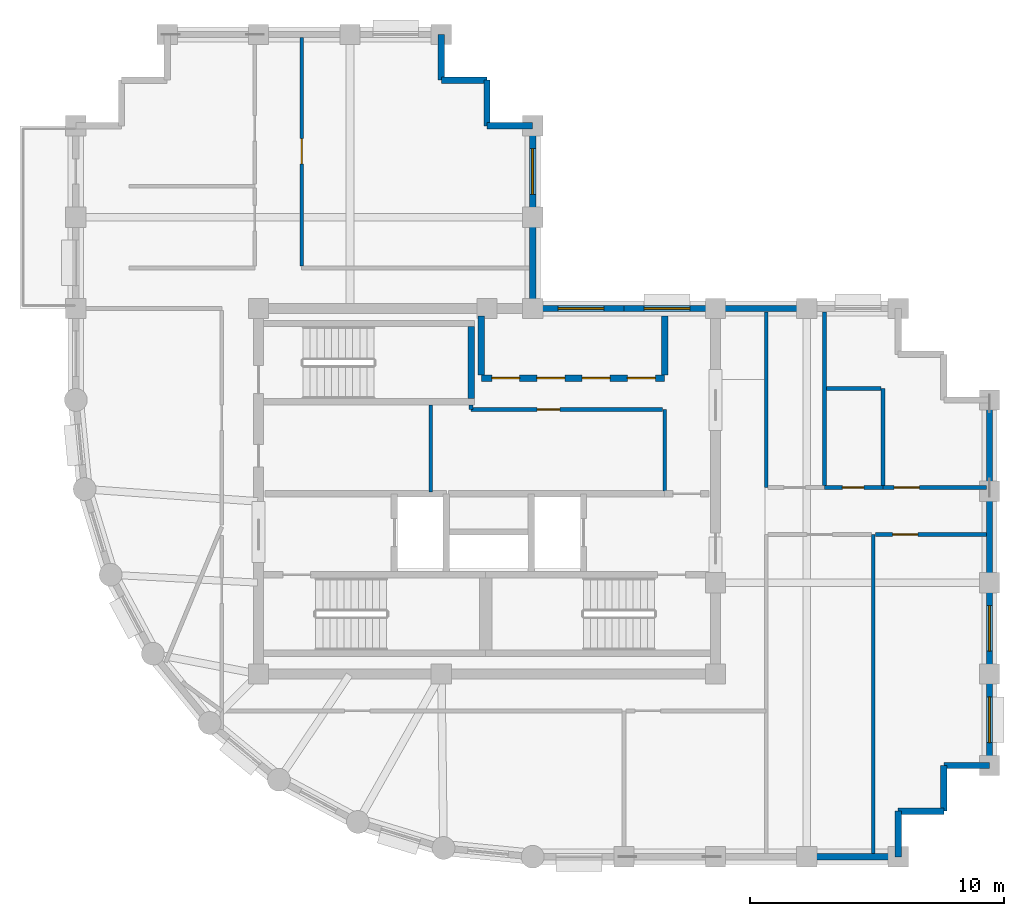
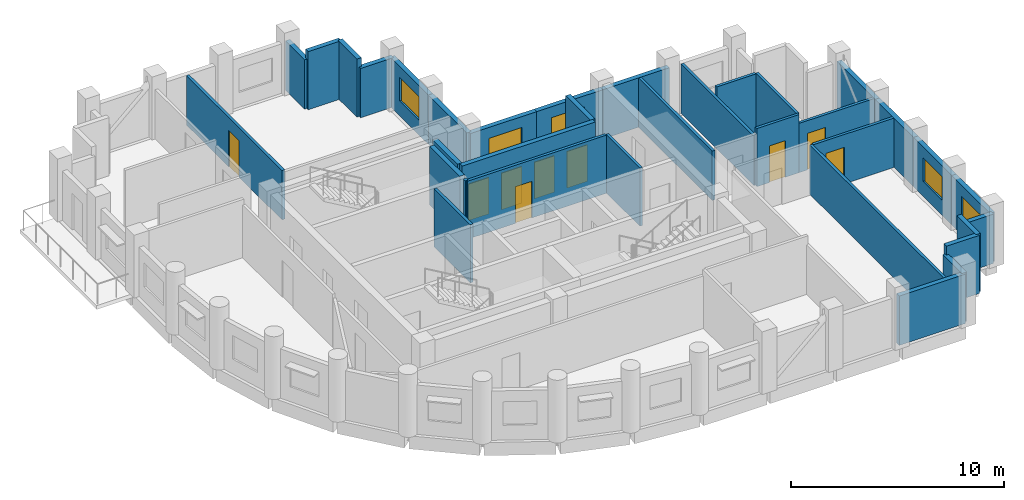
# One storey, part 4 of 7: 35 walls, 9 doors, 5 windows, 14 openings.
"""IFC4 building model written with IfcOpenShell, lengths in metres."""

from ifc_helpers import new_model, si_unit, direction, frame, frame_2d, origin, place, context, subcontext, project, spatial, rectangle, extrude, material, layer, layer_set, type_object, element, fill, save


model = new_model("IFC4")

# Units and contexts
model_context = context("Model", 3, precision=1e-05, world=origin(), true_north=direction((0.0, 1.0)))
body_context = subcontext(model_context, "Body", "Model", "MODEL_VIEW")
ifc_project = project(units=[si_unit("LENGTHUNIT", "METRE"), si_unit("AREAUNIT", "SQUARE_METRE"), si_unit("VOLUMEUNIT", "CUBIC_METRE"), si_unit("PLANEANGLEUNIT", "RADIAN"), si_unit("MASSUNIT", "GRAM", prefix="KILO")], contexts=[model_context])

# Site, building, storey
site_placement = place(None, origin())
site = spatial("IfcSite", under=ifc_project, at=site_placement, CompositionType="ELEMENT")
building_placement = place(site_placement, origin())
building = spatial("IfcBuilding", under=site, at=building_placement, Name="Solnavia Interchange Tower", CompositionType="ELEMENT")
storey_placement = place(building_placement, frame((0.0, 0.0, 266.60009765625)))
storey = spatial("IfcBuildingStorey", under=building, at=storey_placement, Name="L67", CompositionType="ELEMENT", Elevation=266.60009765625)

# Walls
ifc_material_1 = material(Name="Concrete C40/50", Category="concrete")
ifc_layer_1 = layer(ifc_material_1, 0.25)
ifc_layer_set_1 = layer_set([ifc_layer_1], Name="Concrete C40/50")
wall_type_1 = type_object("IfcWallType", Name="Wall-ExtSpandrel-250", PredefinedType="STANDARD", material=ifc_layer_set_1)
wall_1_placement = place(storey_placement, frame((39.60009765625, 3.60009765625, 0.0), z_axis=(0.0, 0.0, 1.0), x_axis=(-1.0, 0.0, 0.0)))
element("IfcWall", 1, at=wall_1_placement, inside=storey, type_object=wall_type_1, Name="EXW-L67-04 Exterior precast spandrel wall", PredefinedType="STANDARD", context=body_context, shape_type="SweptSolid", body=[
    extrude(rectangle(XDim=3.60009765625, YDim=0.25, at=frame_2d((1.800048828125, 0.0))), origin(), (0.0, 0.0, 1.0), 2.829833984375),
])
wall_2_placement = place(storey_placement, frame((39.60009765625, 5.39990234375, 0.0), z_axis=(0.0, 0.0, 1.0), x_axis=(0.0, -1.0, 0.0)))
element("IfcWall", 2, at=wall_2_placement, inside=storey, type_object=wall_type_1, Name="EXW-L67-05 Exterior precast spandrel wall", PredefinedType="STANDARD", context=body_context, shape_type="SweptSolid", body=[
    extrude(rectangle(XDim=1.7998046875, YDim=0.25, at=frame_2d((0.89990234375, 0.0))), origin(), (0.0, 0.0, 1.0), 2.829833984375),
])
wall_3_placement = place(storey_placement, frame((41.39990234375, 5.39990234375, 0.0), z_axis=(0.0, 0.0, 1.0), x_axis=(-1.0, 0.0, 0.0)))
element("IfcWall", 3, at=wall_3_placement, inside=storey, type_object=wall_type_1, Name="EXW-L67-06 Exterior precast spandrel wall", PredefinedType="STANDARD", context=body_context, shape_type="SweptSolid", body=[
    extrude(rectangle(XDim=1.7998046875, YDim=0.25, at=frame_2d((0.89990234375, 0.0))), origin(), (0.0, 0.0, 1.0), 3.3349609375),
])
wall_4_placement = place(storey_placement, frame((41.39990234375, 7.199951171875, 0.0), z_axis=(0.0, 0.0, 1.0), x_axis=(0.0, -1.0, 0.0)))
element("IfcWall", 4, at=wall_4_placement, inside=storey, type_object=wall_type_1, Name="EXW-L67-07 Exterior precast spandrel wall", PredefinedType="STANDARD", context=body_context, shape_type="SweptSolid", body=[
    extrude(rectangle(XDim=1.800048828125, YDim=0.25, at=frame_2d((0.89990234375, 0.0))), origin(), (0.0, 0.0, 1.0), 3.3349609375),
])
wall_5_placement = place(storey_placement, frame((43.199951171875, 7.199951171875, 0.0), z_axis=(0.0, 0.0, 1.0), x_axis=(-1.0, 0.0, 0.0)))
element("IfcWall", 5, at=wall_5_placement, inside=storey, type_object=wall_type_1, Name="EXW-L67-08 Exterior precast spandrel wall", PredefinedType="STANDARD", context=body_context, shape_type="SweptSolid", body=[
    extrude(rectangle(XDim=1.800048828125, YDim=0.25, at=frame_2d((0.89990234375, 0.0))), origin(), (0.0, 0.0, 1.0), 2.829833984375),
])

# Wall, opening, window
wall_6_placement = place(storey_placement, frame((43.199951171875, 10.800048828125, 0.0), z_axis=(0.0, 0.0, 1.0), x_axis=(0.0, -1.0, 0.0)))
wall_6 = element("IfcWall", 6, at=wall_6_placement, inside=storey, type_object=wall_type_1, Name="EXW-L67-09 Exterior precast spandrel wall", PredefinedType="STANDARD", context=body_context, shape_type="SweptSolid", body=[
    extrude(rectangle(XDim=3.60009765625, YDim=0.25, at=frame_2d((1.800048828125, 0.0))), origin(), (0.0, 0.0, 1.0), 2.829833984375),
])
opening_1_placement = place(wall_6_placement, frame((0.89990234375, 0.0, 0.85009765625)))
opening_1 = element("IfcOpeningElement", 7, at=opening_1_placement, cuts=wall_6, Name="Opening WIN-02", PredefinedType="OPENING", context=body_context, shape_type="SweptSolid", body=[
    extrude(rectangle(XDim=1.800048828125, YDim=1.35009765625, at=frame_2d((0.89990234375, 0.675048828125))), frame((0.0, 0.135009765625, 0.0), z_axis=(0.0, -1.0, 0.0), x_axis=(1.0, 0.0, 0.0)), (0.0, 0.0, 1.0), 0.27001953125),
])
ifc_material_2 = material(Name="Thermal-Break Aluminium & Low-E Glass", Category="aluminium")
window_type = type_object("IfcWindowType", Name="Window-Ribbon-1800x1350", PartitioningType="SINGLE_PANEL", PredefinedType="WINDOW", material=ifc_material_2)
window_1_placement = place(opening_1_placement, origin())
window_1 = element("IfcWindow", 8, at=window_1_placement, inside=storey, type_object=window_type, Name="WIN-L67-09 Facade ribbon window", OverallHeight=1.35009765625, OverallWidth=1.800048828125, PartitioningType="SINGLE_PANEL", PredefinedType="WINDOW", context=body_context, shape_type="SweptSolid", body=[
    extrude(rectangle(XDim=1.800048828125, YDim=1.35009765625, at=frame_2d((0.89990234375, 0.675048828125))), frame((0.0, 0.030029296875, 0.0), z_axis=(0.0, -1.0, 0.0), x_axis=(1.0, 0.0, 0.0)), (0.0, 0.0, 1.0), 0.06005859375),
])
fill(opening_1, window_1)

wall_7_placement = place(storey_placement, frame((43.199951171875, 14.39990234375, 0.0), z_axis=(0.0, 0.0, 1.0), x_axis=(0.0, -1.0, 0.0)))
wall_7 = element("IfcWall", 9, at=wall_7_placement, inside=storey, type_object=wall_type_1, Name="EXW-L67-10 Exterior precast spandrel wall", PredefinedType="STANDARD", context=body_context, shape_type="SweptSolid", body=[
    extrude(rectangle(XDim=3.599853515625, YDim=0.25, at=frame_2d((1.7998046875, 0.0))), origin(), (0.0, 0.0, 1.0), 2.829833984375),
])
opening_2_placement = place(wall_7_placement, frame((0.89990234375, 0.0, 0.85009765625)))
opening_2 = element("IfcOpeningElement", 10, at=opening_2_placement, cuts=wall_7, Name="Opening WIN-02", PredefinedType="OPENING", context=body_context, shape_type="SweptSolid", body=[
    extrude(rectangle(XDim=1.800048828125, YDim=1.35009765625, at=frame_2d((0.89990234375, 0.675048828125))), frame((0.0, 0.135009765625, 0.0), z_axis=(0.0, -1.0, 0.0), x_axis=(1.0, 0.0, 0.0)), (0.0, 0.0, 1.0), 0.27001953125),
])
window_2_placement = place(opening_2_placement, origin())
window_2 = element("IfcWindow", 11, at=window_2_placement, inside=storey, type_object=window_type, Name="WIN-L67-10 Facade ribbon window", OverallHeight=1.35009765625, OverallWidth=1.800048828125, PartitioningType="SINGLE_PANEL", PredefinedType="WINDOW", context=body_context, shape_type="SweptSolid", body=[
    extrude(rectangle(XDim=1.800048828125, YDim=1.35009765625, at=frame_2d((0.89990234375, 0.675048828125))), frame((0.0, 0.030029296875, 0.0), z_axis=(0.0, -1.0, 0.0), x_axis=(1.0, 0.0, 0.0)), (0.0, 0.0, 1.0), 0.06005859375),
])
fill(opening_2, window_2)

# Walls
for number, where, z_axis, x_axis, name in (
    (12, (43.199951171875, 18.0, 0.0), (0.0, 0.0, 1.0), (0.0, -1.0, 0.0), "EXW-L67-11 Exterior precast spandrel wall"),
    (13, (43.199951171875, 21.60009765625, 0.0), (0.0, 0.0, 1.0), (0.0, -1.0, 0.0), "EXW-L67-12 Exterior precast spandrel wall"),
    (14, (32.39990234375, 25.199951171875, 0.0), (0.0, 0.0, 1.0), (1.0, 0.0, 0.0), "EXW-L67-18 Exterior precast spandrel wall"),
):
    element("IfcWall", number, at=place(storey_placement, frame(where, z_axis=z_axis, x_axis=x_axis)), inside=storey, type_object=wall_type_1, Name=name, PredefinedType="STANDARD", context=body_context, shape_type="SweptSolid", body=[
        extrude(rectangle(XDim=3.60009765625, YDim=0.25, at=frame_2d((1.800048828125, 0.0))), origin(), (0.0, 0.0, 1.0), 2.829833984375),
    ])

# Wall, opening, window
wall_8_placement = place(storey_placement, frame((28.800048828125, 25.199951171875, 0.0), z_axis=(0.0, 0.0, 1.0), x_axis=(1.0, 0.0, 0.0)))
wall_8 = element("IfcWall", 15, at=wall_8_placement, inside=storey, type_object=wall_type_1, Name="EXW-L67-19 Exterior precast spandrel wall", PredefinedType="STANDARD", context=body_context, shape_type="SweptSolid", body=[
    extrude(rectangle(XDim=3.599853515625, YDim=0.25, at=frame_2d((1.7998046875, 0.0))), origin(), (0.0, 0.0, 1.0), 2.829833984375),
])
opening_3_placement = place(wall_8_placement, frame((0.794921875, 0.0, 0.85009765625)))
opening_3 = element("IfcOpeningElement", 16, at=opening_3_placement, cuts=wall_8, Name="Opening WIN-02", PredefinedType="OPENING", context=body_context, shape_type="SweptSolid", body=[
    extrude(rectangle(XDim=1.800048828125, YDim=1.35009765625, at=frame_2d((0.89990234375, 0.675048828125))), frame((0.0, 0.135009765625, 0.0), z_axis=(0.0, -1.0, 0.0), x_axis=(1.0, 0.0, 0.0)), (0.0, 0.0, 1.0), 0.27001953125),
])
window_3_placement = place(opening_3_placement, origin())
window_3 = element("IfcWindow", 17, at=window_3_placement, inside=storey, type_object=window_type, Name="WIN-L67-19 Facade ribbon window", OverallHeight=1.35009765625, OverallWidth=1.800048828125, PartitioningType="SINGLE_PANEL", PredefinedType="WINDOW", context=body_context, shape_type="SweptSolid", body=[
    extrude(rectangle(XDim=1.800048828125, YDim=1.35009765625, at=frame_2d((0.89990234375, 0.675048828125))), frame((0.0, 0.030029296875, 0.0), z_axis=(0.0, -1.0, 0.0), x_axis=(1.0, 0.0, 0.0)), (0.0, 0.0, 1.0), 0.06005859375),
])
fill(opening_3, window_3)

wall_9_placement = place(storey_placement, frame((25.199951171875, 25.199951171875, 0.0), z_axis=(0.0, 0.0, 1.0), x_axis=(1.0, 0.0, 0.0)))
wall_9 = element("IfcWall", 18, at=wall_9_placement, inside=storey, type_object=wall_type_1, Name="EXW-L67-20 Exterior precast spandrel wall", PredefinedType="STANDARD", context=body_context, shape_type="SweptSolid", body=[
    extrude(rectangle(XDim=3.60009765625, YDim=0.25, at=frame_2d((1.800048828125, 0.0))), origin(), (0.0, 0.0, 1.0), 2.829833984375),
])
opening_4_placement = place(wall_9_placement, frame((1.0048828125, 0.0, 0.85009765625)))
opening_4 = element("IfcOpeningElement", 19, at=opening_4_placement, cuts=wall_9, Name="Opening WIN-02", PredefinedType="OPENING", context=body_context, shape_type="SweptSolid", body=[
    extrude(rectangle(XDim=1.800048828125, YDim=1.35009765625, at=frame_2d((0.89990234375, 0.675048828125))), frame((0.0, 0.135009765625, 0.0), z_axis=(0.0, -1.0, 0.0), x_axis=(1.0, 0.0, 0.0)), (0.0, 0.0, 1.0), 0.27001953125),
])
window_4_placement = place(opening_4_placement, origin())
window_4 = element("IfcWindow", 20, at=window_4_placement, inside=storey, type_object=window_type, Name="WIN-L67-20 Facade ribbon window", OverallHeight=1.35009765625, OverallWidth=1.800048828125, PartitioningType="SINGLE_PANEL", PredefinedType="WINDOW", context=body_context, shape_type="SweptSolid", body=[
    extrude(rectangle(XDim=1.800048828125, YDim=1.35009765625, at=frame_2d((0.89990234375, 0.675048828125))), frame((0.0, 0.030029296875, 0.0), z_axis=(0.0, -1.0, 0.0), x_axis=(1.0, 0.0, 0.0)), (0.0, 0.0, 1.0), 0.06005859375),
])
fill(opening_4, window_4)

# Wall
wall_10_placement = place(storey_placement, frame((25.199951171875, 28.800048828125, 0.0), z_axis=(0.0, 0.0, 1.0), x_axis=(0.0, -1.0, 0.0)))
element("IfcWall", 21, at=wall_10_placement, inside=storey, type_object=wall_type_1, Name="EXW-L67-21 Exterior precast spandrel wall", PredefinedType="STANDARD", context=body_context, shape_type="SweptSolid", body=[
    extrude(rectangle(XDim=3.60009765625, YDim=0.25, at=frame_2d((1.800048828125, 0.0))), origin(), (0.0, 0.0, 1.0), 2.829833984375),
])

# Wall, opening, window
wall_11_placement = place(storey_placement, frame((25.199951171875, 32.39990234375, 0.0), z_axis=(0.0, 0.0, 1.0), x_axis=(0.0, -1.0, 0.0)))
wall_11 = element("IfcWall", 22, at=wall_11_placement, inside=storey, type_object=wall_type_1, Name="EXW-L67-22 Exterior precast spandrel wall", PredefinedType="STANDARD", context=body_context, shape_type="SweptSolid", body=[
    extrude(rectangle(XDim=3.599853515625, YDim=0.25, at=frame_2d((1.7998046875, 0.0))), origin(), (0.0, 0.0, 1.0), 2.829833984375),
])
opening_5_placement = place(wall_11_placement, frame((0.89990234375, 0.0, 0.85009765625)))
opening_5 = element("IfcOpeningElement", 23, at=opening_5_placement, cuts=wall_11, Name="Opening WIN-02", PredefinedType="OPENING", context=body_context, shape_type="SweptSolid", body=[
    extrude(rectangle(XDim=1.800048828125, YDim=1.35009765625, at=frame_2d((0.89990234375, 0.675048828125))), frame((0.0, 0.135009765625, 0.0), z_axis=(0.0, -1.0, 0.0), x_axis=(1.0, 0.0, 0.0)), (0.0, 0.0, 1.0), 0.27001953125),
])
window_5_placement = place(opening_5_placement, origin())
window_5 = element("IfcWindow", 24, at=window_5_placement, inside=storey, type_object=window_type, Name="WIN-L67-22 Facade ribbon window", OverallHeight=1.35009765625, OverallWidth=1.800048828125, PartitioningType="SINGLE_PANEL", PredefinedType="WINDOW", context=body_context, shape_type="SweptSolid", body=[
    extrude(rectangle(XDim=1.800048828125, YDim=1.35009765625, at=frame_2d((0.89990234375, 0.675048828125))), frame((0.0, 0.030029296875, 0.0), z_axis=(0.0, -1.0, 0.0), x_axis=(1.0, 0.0, 0.0)), (0.0, 0.0, 1.0), 0.06005859375),
])
fill(opening_5, window_5)

# Walls
wall_12_placement = place(storey_placement, frame((23.39990234375, 32.39990234375, 0.0), z_axis=(0.0, 0.0, 1.0), x_axis=(1.0, 0.0, 0.0)))
element("IfcWall", 25, at=wall_12_placement, inside=storey, type_object=wall_type_1, Name="EXW-L67-23 Exterior precast spandrel wall", PredefinedType="STANDARD", context=body_context, shape_type="SweptSolid", body=[
    extrude(rectangle(XDim=1.800048828125, YDim=0.25, at=frame_2d((0.89990234375, 0.0))), origin(), (0.0, 0.0, 1.0), 2.829833984375),
])
wall_13_placement = place(storey_placement, frame((23.39990234375, 32.39990234375, 0.0), z_axis=(0.0, 0.0, 1.0), x_axis=(0.0, 1.0, 0.0)))
element("IfcWall", 26, at=wall_13_placement, inside=storey, type_object=wall_type_1, Name="EXW-L67-24 Exterior precast spandrel wall", PredefinedType="STANDARD", context=body_context, shape_type="SweptSolid", body=[
    extrude(rectangle(XDim=1.800048828125, YDim=0.25, at=frame_2d((0.89990234375, 0.0))), origin(), (0.0, 0.0, 1.0), 3.3349609375),
])
wall_14_placement = place(storey_placement, frame((21.60009765625, 34.199951171875, 0.0), z_axis=(0.0, 0.0, 1.0), x_axis=(1.0, 0.0, 0.0)))
element("IfcWall", 27, at=wall_14_placement, inside=storey, type_object=wall_type_1, Name="EXW-L67-25 Exterior precast spandrel wall", PredefinedType="STANDARD", context=body_context, shape_type="SweptSolid", body=[
    extrude(rectangle(XDim=1.7998046875, YDim=0.25, at=frame_2d((0.89990234375, 0.0))), origin(), (0.0, 0.0, 1.0), 3.3349609375),
])
wall_15_placement = place(storey_placement, frame((21.60009765625, 34.199951171875, 0.0), z_axis=(0.0, 0.0, 1.0), x_axis=(0.0, 1.0, 0.0)))
element("IfcWall", 28, at=wall_15_placement, inside=storey, type_object=wall_type_1, Name="EXW-L67-26 Exterior precast spandrel wall", PredefinedType="STANDARD", context=body_context, shape_type="SweptSolid", body=[
    extrude(rectangle(XDim=1.800048828125, YDim=0.25, at=frame_2d((0.89990234375, 0.0))), origin(), (0.0, 0.0, 1.0), 2.829833984375),
])

# Wall, opening, door
ifc_material_3 = material(Name="Gypsum Plasterboard & Steel Stud", Category="steel")
ifc_layer_2 = layer(ifc_material_3, 0.14990234375)
ifc_layer_set_2 = layer_set([ifc_layer_2], Name="Gypsum Plasterboard & Steel Stud")
wall_type_2 = type_object("IfcWallType", Name="Wall-Partition-150", PredefinedType="PARTITIONING", material=ifc_layer_set_2)
wall_16_placement = place(storey_placement, frame((22.77490234375, 21.219970703125, 0.0), z_axis=(0.0, 0.0, 1.0), x_axis=(1.0, 0.0, 0.0)))
wall_16 = element("IfcWall", 29, at=wall_16_placement, inside=storey, type_object=wall_type_2, Name="CSW-L67-N-ALL Core shaft wall", PredefinedType="PARTITIONING", context=body_context, shape_type="SweptSolid", body=[
    extrude(rectangle(XDim=7.545166015625, YDim=0.14990234375, at=frame_2d((3.7724609375, 0.0))), origin(), (0.0, 0.0, 1.0), 3.3349609375),
])
opening_6_placement = place(wall_16_placement, frame((2.60009765625, 0.0, 0.0)))
opening_6 = element("IfcOpeningElement", 30, at=opening_6_placement, cuts=wall_16, Name="Opening DR-09", PredefinedType="OPENING", context=body_context, shape_type="SweptSolid", body=[
    extrude(rectangle(XDim=0.89990234375, YDim=2.10009765625, at=frame_2d((0.449951171875, 1.050048828125))), frame((0.0, 0.0849609375, 0.0), z_axis=(0.0, -1.0, 0.0), x_axis=(1.0, 0.0, 0.0)), (0.0, 0.0, 1.0), 0.169921875),
])
ifc_material_4 = material(Name="Engineered Oak Veneer Door", Category="wood")
door_type_1 = type_object("IfcDoorType", Name="Door-Internal-900x2100", OperationType="SINGLE_SWING_LEFT", PredefinedType="DOOR", material=ifc_material_4)
door_1_placement = place(opening_6_placement, origin())
door_1 = element("IfcDoor", 31, at=door_1_placement, inside=storey, type_object=door_type_1, Name="DR-L67-CS2 Core fire door", OperationType="SINGLE_SWING_RIGHT", OverallHeight=2.10009765625, OverallWidth=0.89990234375, PredefinedType="DOOR", context=body_context, shape_type="SweptSolid", body=[
    extrude(rectangle(XDim=0.89990234375, YDim=2.10009765625, at=frame_2d((0.449951171875, 1.050048828125))), frame((0.0, 0.02490234375, 0.0), z_axis=(0.0, -1.0, 0.0), x_axis=(1.0, 0.0, 0.0)), (0.0, 0.0, 1.0), 0.050048828125),
])
fill(opening_6, door_1)

# Walls
wall_17_placement = place(storey_placement, frame((22.77490234375, 21.219970703125, 0.0), z_axis=(0.0, 0.0, 1.0), x_axis=(0.0, 1.0, 0.0)))
element("IfcWall", 32, at=wall_17_placement, inside=storey, type_object=wall_type_2, Name="CSW-L67-ST-TIE Core shaft wall", PredefinedType="PARTITIONING", context=body_context, shape_type="SweptSolid", body=[
    extrude(rectangle(XDim=0.175048828125, YDim=0.14990234375, at=frame_2d((0.08740234375, 0.0))), origin(), (0.0, 0.0, 1.0), 3.3349609375),
])
wall_18_placement = place(storey_placement, frame((30.39990234375, 18.02001953125, 0.0), z_axis=(0.0, 0.0, 1.0), x_axis=(0.0, 1.0, 0.0)))
element("IfcWall", 33, at=wall_18_placement, inside=storey, type_object=wall_type_2, Name="CSW-L67-E-E Core shaft wall", PredefinedType="PARTITIONING", context=body_context, shape_type="SweptSolid", body=[
    extrude(rectangle(XDim=3.199951171875, YDim=0.14990234375, at=frame_2d((1.60009765625, 0.0))), origin(), (0.0, 0.0, 1.0), 3.3349609375),
])
wall_19_placement = place(storey_placement, frame((21.179931640625, 17.97998046875, 0.0), z_axis=(0.0, 0.0, 1.0), x_axis=(0.0, 1.0, 0.0)))
element("IfcWall", 34, at=wall_19_placement, inside=storey, type_object=wall_type_2, Name="CSW-L67-M0 Core shaft wall", PredefinedType="PARTITIONING", context=body_context, shape_type="SweptSolid", body=[
    extrude(rectangle(XDim=3.419921875, YDim=0.14990234375, at=frame_2d((1.7099609375, 0.0))), origin(), (0.0, 0.0, 1.0), 3.3349609375),
])
wall_20_placement = place(storey_placement, frame((38.6201171875, 3.72900390625, 0.0), z_axis=(0.0, 0.0, 1.0), x_axis=(0.0, 1.0, 0.0)))
element("IfcWall", 35, at=wall_20_placement, inside=storey, type_object=wall_type_2, Name="PTW-L67-16 Interior partition wall", PredefinedType="PARTITIONING", context=body_context, shape_type="SweptSolid", body=[
    extrude(rectangle(XDim=12.571044921875, YDim=0.14990234375, at=frame_2d((6.28564453125, 0.0))), origin(), (0.0, 0.0, 1.0), 2.829833984375),
])

# Wall, opening, door
wall_21_placement = place(storey_placement, frame((38.698974609375, 16.300048828125, 0.0), z_axis=(0.0, 0.0, 1.0), x_axis=(1.0, 0.0, 0.0)))
wall_21 = element("IfcWall", 36, at=wall_21_placement, inside=storey, type_object=wall_type_2, Name="PTW-L67-18 Interior partition wall", PredefinedType="PARTITIONING", context=body_context, shape_type="SweptSolid", body=[
    extrude(rectangle(XDim=4.3720703125, YDim=0.14990234375, at=frame_2d((2.18603515625, 0.0))), origin(), (0.0, 0.0, 1.0), 2.829833984375),
])
opening_7_placement = place(wall_21_placement, frame((0.677978515625, 0.0, 0.0)))
opening_7 = element("IfcOpeningElement", 37, at=opening_7_placement, cuts=wall_21, Name="Opening DR-07", PredefinedType="OPENING", context=body_context, shape_type="SweptSolid", body=[
    extrude(rectangle(XDim=1.0, YDim=2.10009765625, at=frame_2d((0.5, 1.050048828125))), frame((0.0, 0.0849609375, 0.0), z_axis=(0.0, -1.0, 0.0), x_axis=(1.0, 0.0, 0.0)), (0.0, 0.0, 1.0), 0.169921875),
])
ifc_material_5 = material(Name="Timber & Acoustic Glazed Office Door", Category="wood")
door_type_2 = type_object("IfcDoorType", Name="Door-Office-1000x2100", OperationType="SINGLE_SWING_RIGHT", PredefinedType="DOOR", material=ifc_material_5)
door_2_placement = place(opening_7_placement, origin())
door_2 = element("IfcDoor", 38, at=door_2_placement, inside=storey, type_object=door_type_2, Name="DR-L67-08 Interior room door", OperationType="SINGLE_SWING_RIGHT", OverallHeight=2.10009765625, OverallWidth=1.0, PredefinedType="DOOR", context=body_context, shape_type="SweptSolid", body=[
    extrude(rectangle(XDim=1.0, YDim=2.10009765625, at=frame_2d((0.5, 1.050048828125))), frame((0.0, 0.02490234375, 0.0), z_axis=(0.0, -1.0, 0.0), x_axis=(1.0, 0.0, 0.0)), (0.0, 0.0, 1.0), 0.050048828125),
])
fill(opening_7, door_2)

wall_22_placement = place(storey_placement, frame((39.0, 18.14990234375, 0.0), z_axis=(0.0, 0.0, 1.0), x_axis=(1.0, 0.0, 0.0)))
wall_22 = element("IfcWall", 39, at=wall_22_placement, inside=storey, type_object=wall_type_2, Name="PTW-L67-19 Interior partition wall", PredefinedType="PARTITIONING", context=body_context, shape_type="SweptSolid", body=[
    extrude(rectangle(XDim=4.071044921875, YDim=0.14990234375, at=frame_2d((2.03564453125, 0.0))), origin(), (0.0, 0.0, 1.0), 2.829833984375),
])
opening_8_placement = place(wall_22_placement, frame((0.43798828125, 0.0, 0.0)))
opening_8 = element("IfcOpeningElement", 40, at=opening_8_placement, cuts=wall_22, Name="Opening DR-07", PredefinedType="OPENING", context=body_context, shape_type="SweptSolid", body=[
    extrude(rectangle(XDim=1.0, YDim=2.10009765625, at=frame_2d((0.5, 1.050048828125))), frame((0.0, 0.0849609375, 0.0), z_axis=(0.0, -1.0, 0.0), x_axis=(1.0, 0.0, 0.0)), (0.0, 0.0, 1.0), 0.169921875),
])
door_3_placement = place(opening_8_placement, origin())
door_3 = element("IfcDoor", 41, at=door_3_placement, inside=storey, type_object=door_type_2, Name="DR-L67-09 Interior room door", OperationType="SINGLE_SWING_RIGHT", OverallHeight=2.10009765625, OverallWidth=1.0, PredefinedType="DOOR", context=body_context, shape_type="SweptSolid", body=[
    extrude(rectangle(XDim=1.0, YDim=2.10009765625, at=frame_2d((0.5, 1.050048828125))), frame((0.0, 0.02490234375, 0.0), z_axis=(0.0, -1.0, 0.0), x_axis=(1.0, 0.0, 0.0)), (0.0, 0.0, 1.0), 0.050048828125),
])
fill(opening_8, door_3)

wall_23_placement = place(storey_placement, frame((16.10009765625, 26.87890625, 0.0), z_axis=(0.0, 0.0, 1.0), x_axis=(0.0, 1.0, 0.0)))
wall_23 = element("IfcWall", 42, at=wall_23_placement, inside=storey, type_object=wall_type_2, Name="PTW-L67-25 Interior partition wall", PredefinedType="PARTITIONING", context=body_context, shape_type="SweptSolid", body=[
    extrude(rectangle(XDim=8.9921875, YDim=0.14990234375, at=frame_2d((4.49609375, 0.0))), origin(), (0.0, 0.0, 1.0), 2.829833984375),
])
opening_9_placement = place(wall_23_placement, frame((4.02099609375, 0.0, 0.0)))
opening_9 = element("IfcOpeningElement", 43, at=opening_9_placement, cuts=wall_23, Name="Opening DR-07", PredefinedType="OPENING", context=body_context, shape_type="SweptSolid", body=[
    extrude(rectangle(XDim=1.0, YDim=2.10009765625, at=frame_2d((0.5, 1.050048828125))), frame((0.0, 0.0849609375, 0.0), z_axis=(0.0, -1.0, 0.0), x_axis=(1.0, 0.0, 0.0)), (0.0, 0.0, 1.0), 0.169921875),
])
door_4_placement = place(opening_9_placement, origin())
door_4 = element("IfcDoor", 44, at=door_4_placement, inside=storey, type_object=door_type_2, Name="DR-L67-12 Interior room door", OperationType="SINGLE_SWING_LEFT", OverallHeight=2.10009765625, OverallWidth=1.0, PredefinedType="DOOR", context=body_context, shape_type="SweptSolid", body=[
    extrude(rectangle(XDim=1.0, YDim=2.10009765625, at=frame_2d((0.5, 1.050048828125))), frame((0.0, 0.02490234375, 0.0), z_axis=(0.0, -1.0, 0.0), x_axis=(1.0, 0.0, 0.0)), (0.0, 0.0, 1.0), 0.050048828125),
])
fill(opening_9, door_4)

# Wall
ifc_layer_3 = layer(ifc_material_1, 0.25)
ifc_layer_set_3 = layer_set([ifc_layer_3], Name="Concrete C40/50")
wall_type_3 = type_object("IfcWallType", Name="Wall-ShaftCore-250", PredefinedType="SHEAR", material=ifc_layer_set_3)
wall_24_placement = place(storey_placement, frame((22.77490234375, 21.64990234375, 0.0), z_axis=(0.0, 0.0, 1.0), x_axis=(0.0, 1.0, 0.0)))
element("IfcWall", 45, at=wall_24_placement, inside=storey, type_object=wall_type_3, Name="SHW-L67-ST3E Core shear wall", PredefinedType="SHEAR", context=body_context, shape_type="SweptSolid", body=[
    extrude(rectangle(XDim=2.840087890625, YDim=0.25, at=frame_2d((1.419921875, 0.0))), origin(), (0.0, 0.0, 1.0), 3.349853515625),
])

# Wall, openings, doors
ifc_layer_4 = layer(ifc_material_1, 0.25)
ifc_layer_set_4 = layer_set([ifc_layer_4], Name="Concrete C40/50")
wall_type_4 = type_object("IfcWallType", Name="Wall-ShaftPart-250", PredefinedType="PARTITIONING", material=ifc_layer_set_4)
wall_25_placement = place(storey_placement, frame((23.179931640625, 22.4599609375, 0.0), z_axis=(0.0, 0.0, 1.0), x_axis=(1.0, 0.0, 0.0)))
wall_25 = element("IfcWall", 46, at=wall_25_placement, inside=storey, type_object=wall_type_4, Name="SHW-L67-B3S Core shaft wall", PredefinedType="PARTITIONING", context=body_context, shape_type="SweptSolid", body=[
    extrude(rectangle(XDim=7.219970703125, YDim=0.25, at=frame_2d((3.60986328125, 0.0))), origin(), (0.0, 0.0, 1.0), 3.3349609375),
])
opening_10_placement = place(wall_25_placement, frame((0.409912109375, 0.0, 0.0)))
opening_10 = element("IfcOpeningElement", 47, at=opening_10_placement, cuts=wall_25, Name="Opening LD-01", PredefinedType="OPENING", context=body_context, shape_type="SweptSolid", body=[
    extrude(rectangle(XDim=1.10009765625, YDim=2.10009765625, at=frame_2d((0.550048828125, 1.050048828125))), frame((0.0, 0.135009765625, 0.0), z_axis=(0.0, -1.0, 0.0), x_axis=(1.0, 0.0, 0.0)), (0.0, 0.0, 1.0), 0.27001953125),
])
opening_11_placement = place(wall_25_placement, frame((2.18994140625, 0.0, 0.0)))
opening_11 = element("IfcOpeningElement", 48, at=opening_11_placement, cuts=wall_25, Name="Opening LD-01", PredefinedType="OPENING", context=body_context, shape_type="SweptSolid", body=[
    extrude(rectangle(XDim=1.10009765625, YDim=2.10009765625, at=frame_2d((0.550048828125, 1.050048828125))), frame((0.0, 0.135009765625, 0.0), z_axis=(0.0, -1.0, 0.0), x_axis=(1.0, 0.0, 0.0)), (0.0, 0.0, 1.0), 0.27001953125),
])
opening_12_placement = place(wall_25_placement, frame((3.969970703125, 0.0, 0.0)))
opening_12 = element("IfcOpeningElement", 49, at=opening_12_placement, cuts=wall_25, Name="Opening LD-01", PredefinedType="OPENING", context=body_context, shape_type="SweptSolid", body=[
    extrude(rectangle(XDim=1.10009765625, YDim=2.10009765625, at=frame_2d((0.550048828125, 1.050048828125))), frame((0.0, 0.135009765625, 0.0), z_axis=(0.0, -1.0, 0.0), x_axis=(1.0, 0.0, 0.0)), (0.0, 0.0, 1.0), 0.27001953125),
])
opening_13_placement = place(wall_25_placement, frame((5.75, 0.0, 0.0)))
opening_13 = element("IfcOpeningElement", 50, at=opening_13_placement, cuts=wall_25, Name="Opening LD-01", PredefinedType="OPENING", context=body_context, shape_type="SweptSolid", body=[
    extrude(rectangle(XDim=1.10009765625, YDim=2.10009765625, at=frame_2d((0.550048828125, 1.050048828125))), frame((0.0, 0.135009765625, 0.0), z_axis=(0.0, -1.0, 0.0), x_axis=(1.0, 0.0, 0.0)), (0.0, 0.0, 1.0), 0.27001953125),
])
ifc_material_6 = material(Name="Brushed Stainless Steel Sliding Door", Category="steel")
door_type_3 = type_object("IfcDoorType", Name="Door-LiftLanding-1100x2100", OperationType="SLIDING_TO_LEFT", PredefinedType="DOOR", material=ifc_material_6)
door_5_placement = place(opening_10_placement, origin())
door_5 = element("IfcDoor", 51, at=door_5_placement, inside=storey, type_object=door_type_3, Name="LD-L67-B3-1 Lift landing sliding door", OperationType="SLIDING_TO_LEFT", OverallHeight=2.10009765625, OverallWidth=1.10009765625, PredefinedType="DOOR", context=body_context, shape_type="SweptSolid", body=[
    extrude(rectangle(XDim=1.10009765625, YDim=2.10009765625, at=frame_2d((0.550048828125, 1.050048828125))), frame((0.0, 0.02490234375, 0.0), z_axis=(0.0, -1.0, 0.0), x_axis=(1.0, 0.0, 0.0)), (0.0, 0.0, 1.0), 0.050048828125),
])
fill(opening_10, door_5)
door_6_placement = place(opening_11_placement, origin())
door_6 = element("IfcDoor", 52, at=door_6_placement, inside=storey, type_object=door_type_3, Name="LD-L67-B3-2 Lift landing sliding door", OperationType="SLIDING_TO_LEFT", OverallHeight=2.10009765625, OverallWidth=1.10009765625, PredefinedType="DOOR", context=body_context, shape_type="SweptSolid", body=[
    extrude(rectangle(XDim=1.10009765625, YDim=2.10009765625, at=frame_2d((0.550048828125, 1.050048828125))), frame((0.0, 0.02490234375, 0.0), z_axis=(0.0, -1.0, 0.0), x_axis=(1.0, 0.0, 0.0)), (0.0, 0.0, 1.0), 0.050048828125),
])
fill(opening_11, door_6)
door_7_placement = place(opening_12_placement, origin())
door_7 = element("IfcDoor", 53, at=door_7_placement, inside=storey, type_object=door_type_3, Name="LD-L67-B3-3 Lift landing sliding door", OperationType="SLIDING_TO_LEFT", OverallHeight=2.10009765625, OverallWidth=1.10009765625, PredefinedType="DOOR", context=body_context, shape_type="SweptSolid", body=[
    extrude(rectangle(XDim=1.10009765625, YDim=2.10009765625, at=frame_2d((0.550048828125, 1.050048828125))), frame((0.0, 0.02490234375, 0.0), z_axis=(0.0, -1.0, 0.0), x_axis=(1.0, 0.0, 0.0)), (0.0, 0.0, 1.0), 0.050048828125),
])
fill(opening_12, door_7)
door_8_placement = place(opening_13_placement, origin())
door_8 = element("IfcDoor", 54, at=door_8_placement, inside=storey, type_object=door_type_3, Name="LD-L67-B3-4 Lift landing sliding door", OperationType="SLIDING_TO_LEFT", OverallHeight=2.10009765625, OverallWidth=1.10009765625, PredefinedType="DOOR", context=body_context, shape_type="SweptSolid", body=[
    extrude(rectangle(XDim=1.10009765625, YDim=2.10009765625, at=frame_2d((0.550048828125, 1.050048828125))), frame((0.0, 0.02490234375, 0.0), z_axis=(0.0, -1.0, 0.0), x_axis=(1.0, 0.0, 0.0)), (0.0, 0.0, 1.0), 0.050048828125),
])
fill(opening_13, door_8)

# Walls
for number, where, z_axis, x_axis, name in (
    (55, (23.179931640625, 22.5849609375, 0.0), (0.0, 0.0, 1.0), (0.0, 1.0, 0.0), "SHW-L67-B3W Core shaft wall"),
    (56, (30.39990234375, 22.5849609375, 0.0), (0.0, 0.0, 1.0), (0.0, 1.0, 0.0), "SHW-L67-B3E Core shaft wall"),
):
    element("IfcWall", number, at=place(storey_placement, frame(where, z_axis=z_axis, x_axis=x_axis)), inside=storey, type_object=wall_type_4, Name=name, PredefinedType="PARTITIONING", context=body_context, shape_type="SweptSolid", body=[
        extrude(rectangle(XDim=2.31494140625, YDim=0.25, at=frame_2d((1.157470703125, 0.0))), origin(), (0.0, 0.0, 1.0), 3.3349609375),
    ])
ifc_material_7 = material(Name="Moisture-Resistant Gypsum & Steel Stud", Category="steel")
ifc_layer_5 = layer(ifc_material_7, 0.14990234375)
ifc_layer_set_5 = layer_set([ifc_layer_5], Name="Moisture-Resistant Gypsum & Steel Stud")
wall_type_5 = type_object("IfcWallType", Name="Wall-WetRoom-150", PredefinedType="PARTITIONING", material=ifc_layer_set_5)
wall_26_placement = place(storey_placement, frame((34.39990234375, 18.14990234375, 0.0), z_axis=(0.0, 0.0, 1.0), x_axis=(0.0, 1.0, 0.0)))
element("IfcWall", 57, at=wall_26_placement, inside=storey, type_object=wall_type_5, Name="PTW-L67-01 Interior partition wall", PredefinedType="PARTITIONING", context=body_context, shape_type="SweptSolid", body=[
    extrude(rectangle(XDim=6.921142578125, YDim=0.14990234375, at=frame_2d((3.46044921875, 0.0))), origin(), (0.0, 0.0, 1.0), 2.829833984375),
])
wall_27_placement = place(storey_placement, frame((36.699951171875, 18.22900390625, 0.0), z_axis=(0.0, 0.0, 1.0), x_axis=(0.0, 1.0, 0.0)))
element("IfcWall", 58, at=wall_27_placement, inside=storey, type_object=wall_type_5, Name="PTW-L67-03 Interior partition wall", PredefinedType="PARTITIONING", context=body_context, shape_type="SweptSolid", body=[
    extrude(rectangle(XDim=6.842041015625, YDim=0.14990234375, at=frame_2d((3.4208984375, 0.0))), origin(), (0.0, 0.0, 1.0), 2.829833984375),
])

# Wall, opening, door
wall_28_placement = place(storey_placement, frame((36.699951171875, 18.14990234375, 0.0), z_axis=(0.0, 0.0, 1.0), x_axis=(1.0, 0.0, 0.0)))
wall_28 = element("IfcWall", 59, at=wall_28_placement, inside=storey, type_object=wall_type_5, Name="PTW-L67-04 Interior partition wall", PredefinedType="PARTITIONING", context=body_context, shape_type="SweptSolid", body=[
    extrude(rectangle(XDim=2.300048828125, YDim=0.14990234375, at=frame_2d((1.14990234375, 0.0))), origin(), (0.0, 0.0, 1.0), 3.3349609375),
])
opening_14_placement = place(wall_28_placement, frame((0.697021484375, 0.0, 0.0)))
opening_14 = element("IfcOpeningElement", 60, at=opening_14_placement, cuts=wall_28, Name="Opening DR-10", PredefinedType="OPENING", context=body_context, shape_type="SweptSolid", body=[
    extrude(rectangle(XDim=0.85009765625, YDim=2.10009765625, at=frame_2d((0.425048828125, 1.050048828125))), frame((0.0, 0.0849609375, 0.0), z_axis=(0.0, -1.0, 0.0), x_axis=(1.0, 0.0, 0.0)), (0.0, 0.0, 1.0), 0.169921875),
])
ifc_material_8 = material(Name="Moisture-Resistant Timber Door", Category="wood")
door_type_4 = type_object("IfcDoorType", Name="Door-Bathroom-850x2100", OperationType="SINGLE_SWING_RIGHT", PredefinedType="DOOR", material=ifc_material_8)
door_9_placement = place(opening_14_placement, origin())
door_9 = element("IfcDoor", 61, at=door_9_placement, inside=storey, type_object=door_type_4, Name="DR-L67-02 Interior room door", OperationType="SINGLE_SWING_RIGHT", OverallHeight=2.10009765625, OverallWidth=0.85009765625, PredefinedType="DOOR", context=body_context, shape_type="SweptSolid", body=[
    extrude(rectangle(XDim=0.85009765625, YDim=2.10009765625, at=frame_2d((0.425048828125, 1.050048828125))), frame((0.0, 0.02490234375, 0.0), z_axis=(0.0, -1.0, 0.0), x_axis=(1.0, 0.0, 0.0)), (0.0, 0.0, 1.0), 0.050048828125),
])
fill(opening_14, door_9)

# Walls
wall_29_placement = place(storey_placement, frame((39.0, 18.22900390625, 0.0), z_axis=(0.0, 0.0, 1.0), x_axis=(0.0, 1.0, 0.0)))
element("IfcWall", 62, at=wall_29_placement, inside=storey, type_object=wall_type_5, Name="PTW-L67-05 Interior partition wall", PredefinedType="PARTITIONING", context=body_context, shape_type="SweptSolid", body=[
    extrude(rectangle(XDim=3.821044921875, YDim=0.14990234375, at=frame_2d((1.91064453125, 0.0))), origin(), (0.0, 0.0, 1.0), 3.3349609375),
])
wall_30_placement = place(storey_placement, frame((36.779052734375, 22.050048828125, 0.0), z_axis=(0.0, 0.0, 1.0), x_axis=(1.0, 0.0, 0.0)))
element("IfcWall", 63, at=wall_30_placement, inside=storey, type_object=wall_type_5, Name="PTW-L67-06 Interior partition wall", PredefinedType="PARTITIONING", context=body_context, shape_type="SweptSolid", body=[
    extrude(rectangle(XDim=2.141845703125, YDim=0.14990234375, at=frame_2d((1.07080078125, 0.0))), origin(), (0.0, 0.0, 1.0), 3.3349609375),
])

save(model, "model.ifc")
